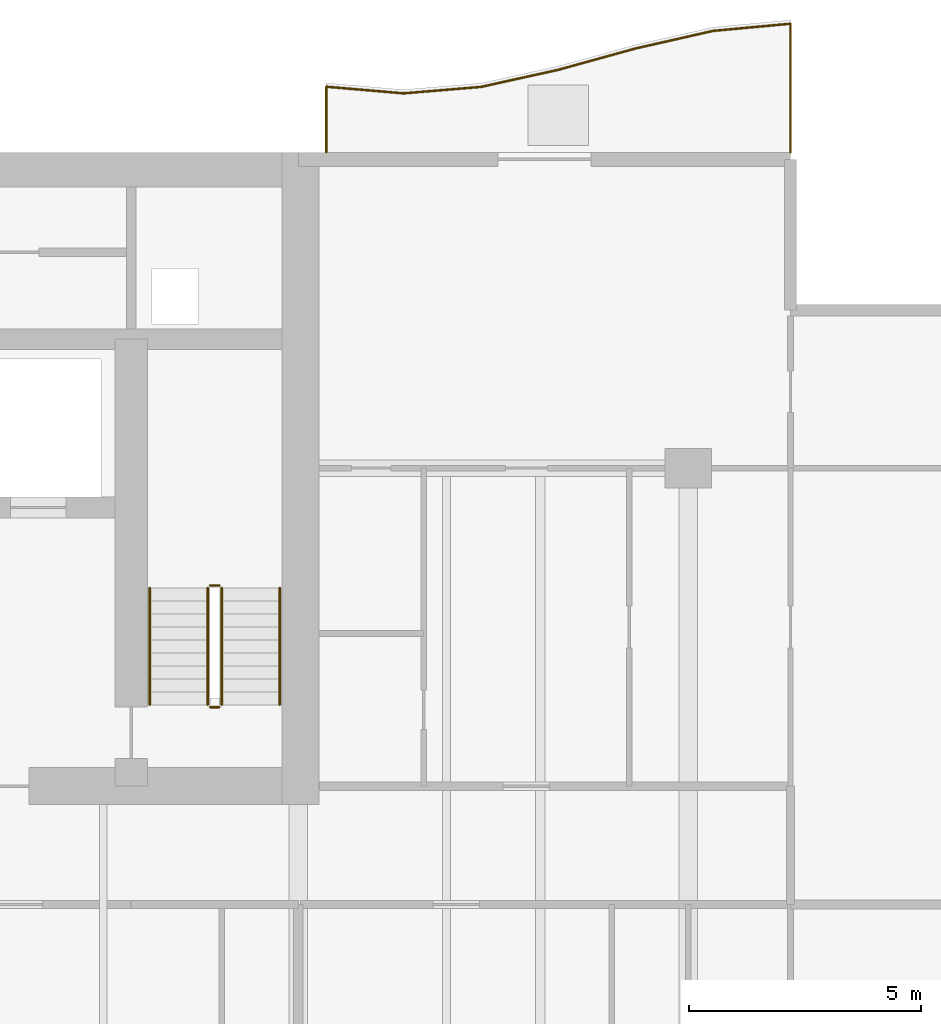
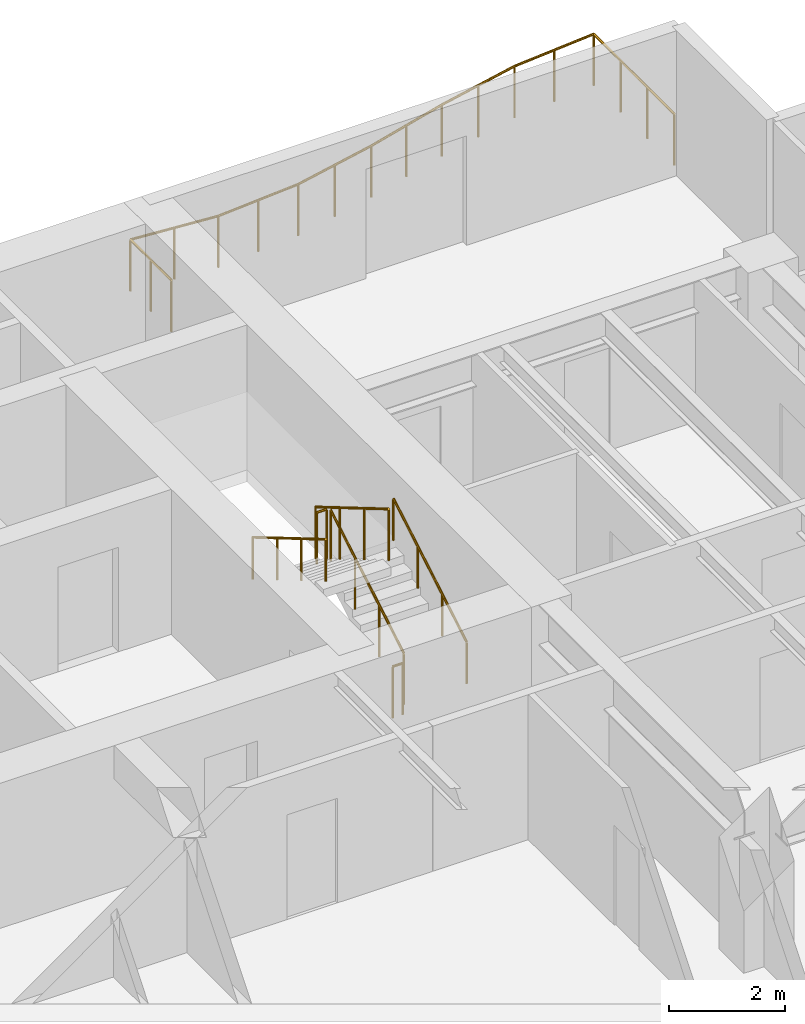
# One storey, part 16 of 17: 7 railings.
"""IFC4 building model written with IfcOpenShell, lengths in metres."""

from ifc_helpers import new_model, si_unit, direction, frame, origin, origin_2d, place, context, subcontext, project, spatial, circle, extrude, material, type_object, element, save


model = new_model("IFC4")

# Units and contexts
model_context = context("Model", 3, precision=1e-05, world=origin(), true_north=direction((0.0, 1.0)))
body_context = subcontext(model_context, "Body", "Model", "MODEL_VIEW")
ifc_project = project(units=[si_unit("LENGTHUNIT", "METRE"), si_unit("AREAUNIT", "SQUARE_METRE"), si_unit("VOLUMEUNIT", "CUBIC_METRE"), si_unit("PLANEANGLEUNIT", "RADIAN"), si_unit("MASSUNIT", "GRAM", prefix="KILO")], contexts=[model_context])

# Site, building, storey
site_placement = place(None, origin())
site = spatial("IfcSite", under=ifc_project, at=site_placement, CompositionType="ELEMENT")
building_placement = place(site_placement, origin())
building = spatial("IfcBuilding", under=site, at=building_placement, Name="Caelmar Bay Residences", CompositionType="ELEMENT")
storey_placement = place(building_placement, frame((0.0, 0.0, 87.89990234375)))
storey = spatial("IfcBuildingStorey", under=building, at=storey_placement, Name="L23", CompositionType="ELEMENT", Elevation=87.89990234375)

# Railings
ifc_material_1 = material(Name="Anodised bronze handrail with laminated hurricane glass infill", Category="glass")
railing_type_1 = type_object("IfcRailingType", Name="RL-BAL-1100", PredefinedType="BALUSTRADE", material=ifc_material_1)
railing_1_placement = place(storey_placement, frame((70.10009765625, 50.60009765625, 0.0)))
element("IfcRailing", 1, at=railing_1_placement, inside=storey, type_object=railing_type_1, Name="L23 north_east Balcony Balustrade", PredefinedType="BALUSTRADE", context=body_context, shape_type="SweptSolid", body=[
    extrude(circle(Radius=0.02392578125, at=origin_2d()), frame((0.0, 0.0, 1.076171875), z_axis=(0.0, 1.0, 0.0), x_axis=(-1.0, 0.0, 0.0)), (0.0, 0.0, 1.0), 2.76953125),
    extrude(circle(Radius=0.02392578125, at=origin_2d()), frame((0.0, 2.76953125, 1.076171875), z_axis=(-0.995755786783, -0.092034847145, 0.0), x_axis=(0.092034847145, -0.995755786783, 0.0)), (0.0, 0.0, 1.0), 1.673828125),
    extrude(circle(Radius=0.02392578125, at=origin_2d()), frame((-1.666748046875, 2.615478515625, 1.076171875), z_axis=(-0.975212775078, -0.221269164874, 0.0), x_axis=(0.221269164874, -0.975212775078, 0.0)), (0.0, 0.0, 1.0), 1.709228515625),
    extrude(circle(Radius=0.02392578125, at=origin_2d()), frame((-3.33349609375, 2.2373046875, 1.076171875), z_axis=(-0.963993866583, -0.265924472718, 0.0), x_axis=(0.265924472718, -0.963993866583, 0.0)), (0.0, 0.0, 1.0), 1.728759765625),
    extrude(circle(Radius=0.02392578125, at=origin_2d()), frame((-5.0, 1.777587890625, 1.076171875), z_axis=(-0.97637178472, -0.216097519659, 0.0), x_axis=(0.216097519659, -0.97637178472, 0.0)), (0.0, 0.0, 1.0), 1.70703125),
    extrude(circle(Radius=0.02392578125, at=origin_2d()), frame((-6.666748046875, 1.40869140625, 1.076171875), z_axis=(-0.996556823189, -0.082912593463, 0.0), x_axis=(0.082912593463, -0.996556823189, 0.0)), (0.0, 0.0, 1.0), 1.672607421875),
    extrude(circle(Radius=0.02392578125, at=origin_2d()), frame((-8.33349609375, 1.27001953125, 1.076171875), z_axis=(-0.996335285021, 0.085533618081, 0.0), x_axis=(-0.085533618081, -0.996335285021, 0.0)), (0.0, 0.0, 1.0), 1.672607421875),
    extrude(circle(Radius=0.02392578125, at=origin_2d()), frame((-10.0, 1.4130859375, 1.076171875), z_axis=(0.0, -1.0, 0.0), x_axis=(1.0, 0.0, 0.0)), (0.0, 0.0, 1.0), 1.4130859375),
    extrude(circle(Radius=0.02099609375, at=origin_2d()), origin(), (0.0, 0.0, 1.0), 1.052001953125),
    extrude(circle(Radius=0.02099609375, at=origin_2d()), frame((0.0, 0.923095703125, 0.0)), (0.0, 0.0, 1.0), 1.052001953125),
    extrude(circle(Radius=0.02099609375, at=origin_2d()), frame((0.0, 1.846435546875, 0.0)), (0.0, 0.0, 1.0), 1.052001953125),
    extrude(circle(Radius=0.02099609375, at=origin_2d()), frame((0.0, 2.76953125, 0.0)), (0.0, 0.0, 1.0), 1.052001953125),
    extrude(circle(Radius=0.02099609375, at=origin_2d()), frame((-0.83349609375, 2.6923828125, 0.0)), (0.0, 0.0, 1.0), 1.052001953125),
    extrude(circle(Radius=0.02099609375, at=origin_2d()), frame((-1.666748046875, 2.615478515625, 0.0)), (0.0, 0.0, 1.0), 1.052001953125),
    extrude(circle(Radius=0.02099609375, at=origin_2d()), frame((-2.5, 2.42626953125, 0.0)), (0.0, 0.0, 1.0), 1.052001953125),
    extrude(circle(Radius=0.02099609375, at=origin_2d()), frame((-3.33349609375, 2.2373046875, 0.0)), (0.0, 0.0, 1.0), 1.052001953125),
    extrude(circle(Radius=0.02099609375, at=origin_2d()), frame((-4.166748046875, 2.00732421875, 0.0)), (0.0, 0.0, 1.0), 1.052001953125),
    extrude(circle(Radius=0.02099609375, at=origin_2d()), frame((-5.0, 1.777587890625, 0.0)), (0.0, 0.0, 1.0), 1.052001953125),
    extrude(circle(Radius=0.02099609375, at=origin_2d()), frame((-5.83349609375, 1.59326171875, 0.0)), (0.0, 0.0, 1.0), 1.052001953125),
    extrude(circle(Radius=0.02099609375, at=origin_2d()), frame((-6.666748046875, 1.40869140625, 0.0)), (0.0, 0.0, 1.0), 1.052001953125),
    extrude(circle(Radius=0.02099609375, at=origin_2d()), frame((-7.5, 1.33935546875, 0.0)), (0.0, 0.0, 1.0), 1.052001953125),
    extrude(circle(Radius=0.02099609375, at=origin_2d()), frame((-8.33349609375, 1.27001953125, 0.0)), (0.0, 0.0, 1.0), 1.052001953125),
    extrude(circle(Radius=0.02099609375, at=origin_2d()), frame((-9.166748046875, 1.341552734375, 0.0)), (0.0, 0.0, 1.0), 1.052001953125),
    extrude(circle(Radius=0.02099609375, at=origin_2d()), frame((-10.0, 1.4130859375, 0.0)), (0.0, 0.0, 1.0), 1.052001953125),
    extrude(circle(Radius=0.02099609375, at=origin_2d()), frame((-10.0, 0.70654296875, 0.0)), (0.0, 0.0, 1.0), 1.052001953125),
    extrude(circle(Radius=0.02099609375, at=origin_2d()), frame((-10.0, 0.0, 0.0)), (0.0, 0.0, 1.0), 1.052001953125),
])
ifc_material_2 = material(Name="Painted galvanized steel stair guard 1100 mm", Category="steel")
railing_type_2 = type_object("IfcRailingType", Name="RL-GRD-1100", PredefinedType="GUARDRAIL", material=ifc_material_2)
railing_2_placement = place(storey_placement, frame((57.85009765625, 38.699951171875, 0.1650390625)))
element("IfcRailing", 2, at=railing_2_placement, inside=storey, type_object=railing_type_2, Name="L23 ST2 stair guard 1", PredefinedType="GUARDRAIL", context=body_context, shape_type="SweptSolid", body=[
    extrude(circle(Radius=0.02392578125, at=origin_2d()), frame((0.0, 0.0, 1.076171875), z_axis=(0.0, 0.86152411907, 0.507716645641), x_axis=(-1.0, 0.0, 0.0)), (0.0, 0.0, 1.0), 2.925048828125),
    extrude(circle(Radius=0.02099609375, at=origin_2d()), origin(), (0.0, 0.0, 1.0), 1.052001953125),
    extrude(circle(Radius=0.02099609375, at=origin_2d()), frame((0.0, 0.840087890625, 0.4951171875)), (0.0, 0.0, 1.0), 1.052001953125),
    extrude(circle(Radius=0.02099609375, at=origin_2d()), frame((0.0, 1.679931640625, 0.989990234375)), (0.0, 0.0, 1.0), 1.052001953125),
    extrude(circle(Radius=0.02099609375, at=origin_2d()), frame((0.0, 2.52001953125, 1.485107421875)), (0.0, 0.0, 1.0), 1.052001953125),
])
railing_3_placement = place(storey_placement, frame((57.800048828125, 41.27001953125, 1.650146484375)))
element("IfcRailing", 3, at=railing_3_placement, inside=storey, type_object=railing_type_2, Name="L23 ST2 stair guard 2", PredefinedType="GUARDRAIL", context=body_context, shape_type="SweptSolid", body=[
    extrude(circle(Radius=0.02392578125, at=origin_2d()), frame((0.0, 0.0, 1.076171875), z_axis=(-1.0, 0.0, 0.0), x_axis=(0.0, -1.0, 0.0)), (0.0, 0.0, 1.0), 0.199951171875),
    extrude(circle(Radius=0.02099609375, at=origin_2d()), origin(), (0.0, 0.0, 1.0), 1.052001953125),
    extrude(circle(Radius=0.02099609375, at=origin_2d()), frame((-0.199951171875, 0.0, 0.0)), (0.0, 0.0, 1.0), 1.052001953125),
])
railing_4_placement = place(storey_placement, frame((57.550048828125, 41.219970703125, 1.815185546875)))
element("IfcRailing", 4, at=railing_4_placement, inside=storey, type_object=railing_type_2, Name="L23 ST2 stair guard 3", PredefinedType="GUARDRAIL", context=body_context, shape_type="SweptSolid", body=[
    extrude(circle(Radius=0.02392578125, at=origin_2d()), frame((0.0, 0.0, 1.076171875), z_axis=(0.0, -0.861560626758, 0.507654692109), x_axis=(1.0, 0.0, 0.0)), (0.0, 0.0, 1.0), 2.925048828125),
    extrude(circle(Radius=0.02099609375, at=origin_2d()), origin(), (0.0, 0.0, 1.0), 1.052001953125),
    extrude(circle(Radius=0.02099609375, at=origin_2d()), frame((0.0, -0.840087890625, 0.494873046875)), (0.0, 0.0, 1.0), 1.052001953125),
    extrude(circle(Radius=0.02099609375, at=origin_2d()), frame((0.0, -1.679931640625, 0.989990234375)), (0.0, 0.0, 1.0), 1.052001953125),
    extrude(circle(Radius=0.02099609375, at=origin_2d()), frame((0.0, -2.52001953125, 1.48486328125)), (0.0, 0.0, 1.0), 1.052001953125),
])
railing_5_placement = place(storey_placement, frame((57.800048828125, 38.64990234375, 0.0)))
element("IfcRailing", 5, at=railing_5_placement, inside=storey, type_object=railing_type_2, Name="L23 ST2 stair guard 4", PredefinedType="GUARDRAIL", context=body_context, shape_type="SweptSolid", body=[
    extrude(circle(Radius=0.02392578125, at=origin_2d()), frame((0.0, 0.0, 1.076171875), z_axis=(-1.0, 0.0, 0.0), x_axis=(0.0, -1.0, 0.0)), (0.0, 0.0, 1.0), 0.199951171875),
    extrude(circle(Radius=0.02099609375, at=origin_2d()), origin(), (0.0, 0.0, 1.0), 1.052001953125),
    extrude(circle(Radius=0.02099609375, at=origin_2d()), frame((-0.199951171875, 0.0, 0.0)), (0.0, 0.0, 1.0), 1.052001953125),
])
ifc_material_3 = material(Name="Brushed bronze stainless-steel tubular handrail 900 mm", Category="steel")
railing_type_3 = type_object("IfcRailingType", Name="RL-HND-900", PredefinedType="HANDRAIL", material=ifc_material_3)
railing_6_placement = place(storey_placement, frame((59.10009765625, 38.699951171875, 0.1650390625)))
element("IfcRailing", 6, at=railing_6_placement, inside=storey, type_object=railing_type_3, Name="L23 ST2 stair handrail 1", PredefinedType="HANDRAIL", context=body_context, shape_type="SweptSolid", body=[
    extrude(circle(Radius=0.02392578125, at=origin_2d()), frame((0.0, 0.0, 0.8759765625), z_axis=(0.0, 0.86152411907, 0.507716645641), x_axis=(-1.0, 0.0, 0.0)), (0.0, 0.0, 1.0), 2.925048828125),
    extrude(circle(Radius=0.02099609375, at=origin_2d()), origin(), (0.0, 0.0, 1.0), 0.851806640625),
    extrude(circle(Radius=0.02099609375, at=origin_2d()), frame((0.0, 0.840087890625, 0.4951171875)), (0.0, 0.0, 1.0), 0.851806640625),
    extrude(circle(Radius=0.02099609375, at=origin_2d()), frame((0.0, 1.679931640625, 0.989990234375)), (0.0, 0.0, 1.0), 0.851806640625),
    extrude(circle(Radius=0.02099609375, at=origin_2d()), frame((0.0, 2.52001953125, 1.485107421875)), (0.0, 0.0, 1.0), 0.851806640625),
])
railing_7_placement = place(storey_placement, frame((56.300048828125, 41.219970703125, 1.815185546875)))
element("IfcRailing", 7, at=railing_7_placement, inside=storey, type_object=railing_type_3, Name="L23 ST2 stair handrail 2", PredefinedType="HANDRAIL", context=body_context, shape_type="SweptSolid", body=[
    extrude(circle(Radius=0.02392578125, at=origin_2d()), frame((0.0, 0.0, 0.8759765625), z_axis=(0.0, -0.861560626758, 0.507654692109), x_axis=(1.0, 0.0, 0.0)), (0.0, 0.0, 1.0), 2.925048828125),
    extrude(circle(Radius=0.02099609375, at=origin_2d()), origin(), (0.0, 0.0, 1.0), 0.851806640625),
    extrude(circle(Radius=0.02099609375, at=origin_2d()), frame((0.0, -0.840087890625, 0.494873046875)), (0.0, 0.0, 1.0), 0.851806640625),
    extrude(circle(Radius=0.02099609375, at=origin_2d()), frame((0.0, -1.679931640625, 0.989990234375)), (0.0, 0.0, 1.0), 0.851806640625),
    extrude(circle(Radius=0.02099609375, at=origin_2d()), frame((0.0, -2.52001953125, 1.48486328125)), (0.0, 0.0, 1.0), 0.851806640625),
])

save(model, "model.ifc")
